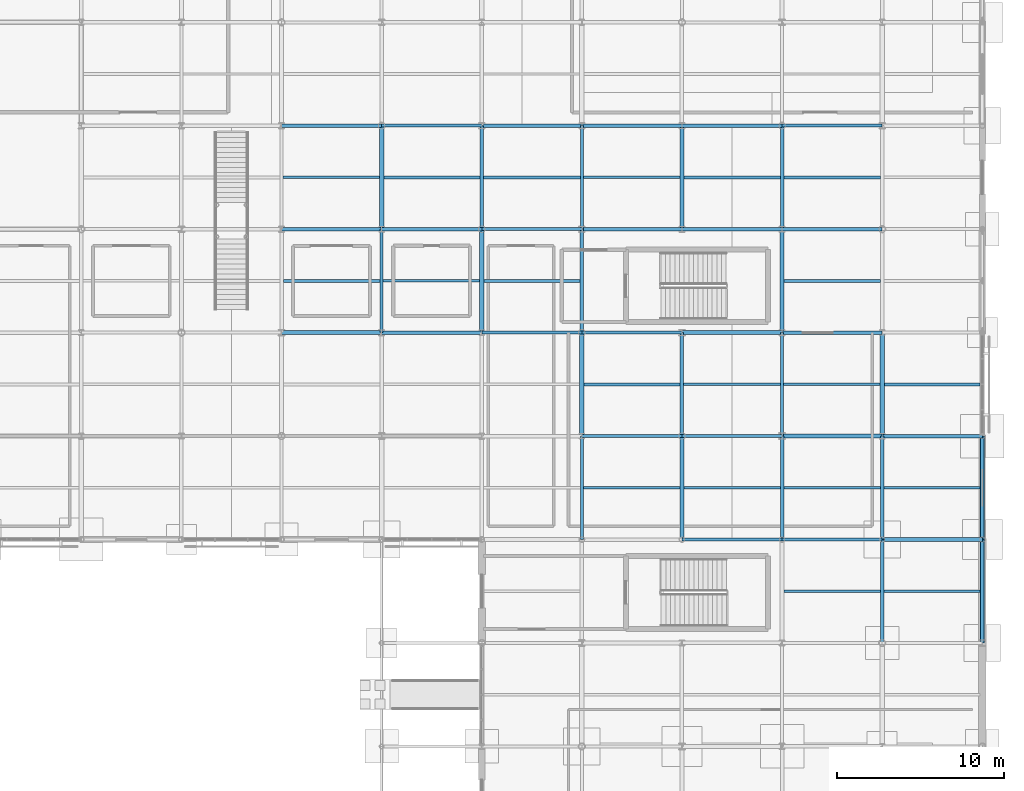
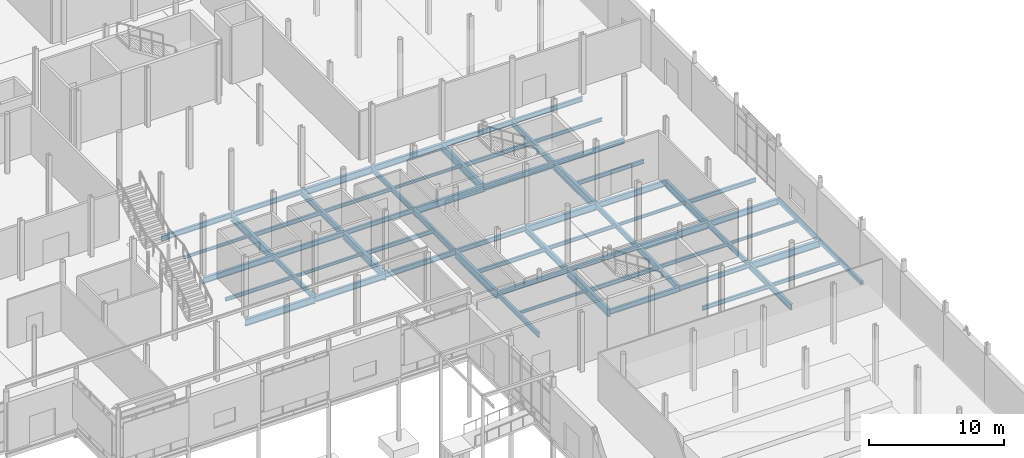
# One storey, part 52 of 98: 65 beams.
"""IFC4 building model written with IfcOpenShell, lengths in metres."""

from ifc_helpers import new_model, si_unit, direction, frame, origin, origin_2d, place, context, subcontext, project, spatial, hollow_rectangle, i_section, extrude, material, material_profile, profile_set, type_object, element, save


model = new_model("IFC4")

# Units and contexts
model_context = context("Model", 3, precision=1e-05, world=origin(), true_north=direction((0.0, 1.0)))
body_context = subcontext(model_context, "Body", "Model", "MODEL_VIEW")
ifc_project = project(units=[si_unit("LENGTHUNIT", "METRE"), si_unit("AREAUNIT", "SQUARE_METRE"), si_unit("VOLUMEUNIT", "CUBIC_METRE"), si_unit("PLANEANGLEUNIT", "RADIAN"), si_unit("MASSUNIT", "GRAM", prefix="KILO")], contexts=[model_context])

# Site, building, storey
site_placement = place(None, origin())
site = spatial("IfcSite", under=ifc_project, at=site_placement, CompositionType="ELEMENT")
building_placement = place(site_placement, origin())
building = spatial("IfcBuilding", under=site, at=building_placement, Name="Mirzam Square Science Centre", CompositionType="ELEMENT")
storey_placement = place(building_placement, origin())
storey = spatial("IfcBuildingStorey", under=building, at=storey_placement, Name="L00", CompositionType="ELEMENT", Elevation=0.0)

# Beams
ifc_material = material(Name="Steel S355", Category="steel")
ifc_material_profile_1 = material_profile(ifc_material, i_section(OverallWidth=0.1787109375, OverallDepth=0.409423828125, WebThickness=0.0087890625, FlangeThickness=0.014404296875, FilletRadius=0.01025390625, at=origin_2d()), Name="406x178x67UB")
ifc_profile_set_1 = profile_set([ifc_material_profile_1], Name="Steel S355")
beam_type_1 = type_object("IfcBeamType", Name="BM-UB406", PredefinedType="BEAM", material=ifc_profile_set_1)
for number, where, z_axis, x_axis, name in (
    (1, (150.0, 37.199951171875, -0.504638671875), (1.0, 0.0, 0.0), (0.0, 1.0, 0.0), "L00 girder X26-7"),
    (2, (144.0, 43.39990234375, -0.504638671875), (1.0, 0.0, 0.0), (0.0, 1.0, 0.0), "L00 girder X25-8"),
    (3, (138.0, 49.60009765625, -0.504638671875), (1.0, 0.0, 0.0), (0.0, 1.0, 0.0), "L00 girder X24-9"),
    (4, (132.0, 55.800048828125, -0.504638671875), (1.0, 0.0, 0.0), (0.0, 1.0, 0.0), "L00 girder X23-10"),
    (5, (126.0, 62.0, -0.504638671875), (1.0, 0.0, 0.0), (0.0, 1.0, 0.0), "L00 girder X22-11"),
    (6, (150.0, 62.0, -0.504638671875), (1.0, 0.0, 0.0), (0.0, 1.0, 0.0), "L00 girder X26-11"),
):
    element("IfcBeam", number, at=place(storey_placement, frame(where, z_axis=z_axis, x_axis=x_axis)), inside=storey, type_object=beam_type_1, Name=name, PredefinedType="BEAM", context=body_context, shape_type="SweptSolid", body=[
        extrude(i_section(OverallWidth=0.1787109375, OverallDepth=0.409423828125, WebThickness=0.0087890625, FlangeThickness=0.014404296875, FilletRadius=0.01025390625, at=origin_2d()), origin(), (0.0, 0.0, 1.0), 6.0),
    ])
ifc_material_profile_2 = material_profile(ifc_material, i_section(OverallWidth=0.19140625, OverallDepth=0.4599609375, WebThickness=0.010009765625, FlangeThickness=0.01611328125, FilletRadius=0.01025390625, at=origin_2d()), Name="457x191x82UB")
ifc_profile_set_2 = profile_set([ifc_material_profile_2], Name="Steel S355")
beam_type_2 = type_object("IfcBeamType", Name="BM-UB457", PredefinedType="BEAM", material=ifc_profile_set_2)
for number, where, z_axis, x_axis, name in (
    (7, (144.0, 37.199951171875, -0.530029296875), (1.0, 0.0, 0.0), (0.0, 1.0, 0.0), "L00 girder X25-7"),
    (8, (138.0, 43.39990234375, -0.530029296875), (1.0, 0.0, 0.0), (0.0, 1.0, 0.0), "L00 girder X24-8"),
    (9, (132.0, 49.60009765625, -0.530029296875), (1.0, 0.0, 0.0), (0.0, 1.0, 0.0), "L00 girder X23-9"),
    (10, (126.0, 55.800048828125, -0.530029296875), (1.0, 0.0, 0.0), (0.0, 1.0, 0.0), "L00 girder X22-10"),
    (11, (150.0, 55.800048828125, -0.530029296875), (1.0, 0.0, 0.0), (0.0, 1.0, 0.0), "L00 girder X26-10"),
    (12, (120.0, 62.0, -0.530029296875), (1.0, 0.0, 0.0), (0.0, 1.0, 0.0), "L00 girder X21-11"),
    (13, (144.0, 62.0, -0.530029296875), (1.0, 0.0, 0.0), (0.0, 1.0, 0.0), "L00 girder X25-11"),
):
    element("IfcBeam", number, at=place(storey_placement, frame(where, z_axis=z_axis, x_axis=x_axis)), inside=storey, type_object=beam_type_2, Name=name, PredefinedType="BEAM", context=body_context, shape_type="SweptSolid", body=[
        extrude(i_section(OverallWidth=0.19140625, OverallDepth=0.4599609375, WebThickness=0.010009765625, FlangeThickness=0.01611328125, FilletRadius=0.01025390625, at=origin_2d()), origin(), (0.0, 0.0, 1.0), 6.0),
    ])
for number, where, z_axis, x_axis, name in (
    (14, (126.0, 49.60009765625, -0.530029296875), (0.0, 1.0, 0.0), (-1.0, 0.0, 0.0), "L00 girder Y22-9"),
    (15, (138.0, 37.199951171875, -0.530029296875), (0.0, 1.0, 0.0), (-1.0, 0.0, 0.0), "L00 girder Y24-7"),
    (16, (138.0, 55.800048828125, -0.530029296875), (0.0, 1.0, 0.0), (-1.0, 0.0, 0.0), "L00 girder Y24-10"),
):
    element("IfcBeam", number, at=place(storey_placement, frame(where, z_axis=z_axis, x_axis=x_axis)), inside=storey, type_object=beam_type_2, Name=name, PredefinedType="BEAM", context=body_context, shape_type="SweptSolid", body=[
        extrude(i_section(OverallWidth=0.19140625, OverallDepth=0.4599609375, WebThickness=0.010009765625, FlangeThickness=0.01611328125, FilletRadius=0.01025390625, at=origin_2d()), origin(), (0.0, 0.0, 1.0), 6.199951171875),
    ])
beam_1_placement = place(storey_placement, frame((150.0, 43.39990234375, -0.530029296875), z_axis=(0.0, 1.0, 0.0), x_axis=(-1.0, 0.0, 0.0)))
element("IfcBeam", 17, at=beam_1_placement, inside=storey, type_object=beam_type_2, Name="L00 girder Y26-8", PredefinedType="BEAM", context=body_context, shape_type="SweptSolid", body=[
    extrude(i_section(OverallWidth=0.19140625, OverallDepth=0.4599609375, WebThickness=0.010009765625, FlangeThickness=0.01611328125, FilletRadius=0.01025390625, at=origin_2d()), origin(), (0.0, 0.0, 1.0), 6.2001953125),
])
beam_2_placement = place(storey_placement, frame((156.0, 37.199951171875, -0.530029296875), z_axis=(0.0, 1.0, 0.0), x_axis=(-1.0, 0.0, 0.0)))
element("IfcBeam", 18, at=beam_2_placement, inside=storey, type_object=beam_type_2, Name="L00 girder Y27-7", PredefinedType="BEAM", context=body_context, shape_type="SweptSolid", body=[
    extrude(i_section(OverallWidth=0.19140625, OverallDepth=0.4599609375, WebThickness=0.010009765625, FlangeThickness=0.01611328125, FilletRadius=0.01025390625, at=origin_2d()), origin(), (0.0, 0.0, 1.0), 6.199951171875),
])
ifc_material_profile_3 = material_profile(ifc_material, i_section(OverallWidth=0.2099609375, OverallDepth=0.53662109375, WebThickness=0.0107421875, FlangeThickness=0.017333984375, FilletRadius=0.0126953125, at=origin_2d()), Name="533x210x101UB")
ifc_profile_set_3 = profile_set([ifc_material_profile_3], Name="Steel S355")
beam_type_3 = type_object("IfcBeamType", Name="BM-UB533", PredefinedType="BEAM", material=ifc_profile_set_3)
for number, where, z_axis, x_axis, name in (
    (19, (156.0, 43.39990234375, -0.568359375), (1.0, 0.0, 0.0), (0.0, 1.0, 0.0), "L00 girder X27-8"),
    (20, (126.0, 49.60009765625, -0.568359375), (1.0, 0.0, 0.0), (0.0, 1.0, 0.0), "L00 girder X22-9"),
    (21, (150.0, 49.60009765625, -0.568359375), (1.0, 0.0, 0.0), (0.0, 1.0, 0.0), "L00 girder X26-9"),
    (22, (120.0, 55.800048828125, -0.568359375), (1.0, 0.0, 0.0), (0.0, 1.0, 0.0), "L00 girder X21-10"),
    (23, (144.0, 55.800048828125, -0.568359375), (1.0, 0.0, 0.0), (0.0, 1.0, 0.0), "L00 girder X25-10"),
    (24, (138.0, 62.0, -0.568359375), (1.0, 0.0, 0.0), (0.0, 1.0, 0.0), "L00 girder X24-11"),
):
    element("IfcBeam", number, at=place(storey_placement, frame(where, z_axis=z_axis, x_axis=x_axis)), inside=storey, type_object=beam_type_3, Name=name, PredefinedType="BEAM", context=body_context, shape_type="SweptSolid", body=[
        extrude(i_section(OverallWidth=0.2099609375, OverallDepth=0.53662109375, WebThickness=0.0107421875, FlangeThickness=0.017333984375, FilletRadius=0.0126953125, at=origin_2d()), origin(), (0.0, 0.0, 1.0), 6.0),
    ])
for number, where, z_axis, x_axis, name in (
    (25, (132.0, 55.800048828125, -0.568359375), (0.0, 1.0, 0.0), (-1.0, 0.0, 0.0), "L00 girder Y23-10"),
    (26, (138.0, 49.60009765625, -0.568359375), (0.0, 1.0, 0.0), (-1.0, 0.0, 0.0), "L00 girder Y24-9"),
):
    element("IfcBeam", number, at=place(storey_placement, frame(where, z_axis=z_axis, x_axis=x_axis)), inside=storey, type_object=beam_type_3, Name=name, PredefinedType="BEAM", context=body_context, shape_type="SweptSolid", body=[
        extrude(i_section(OverallWidth=0.2099609375, OverallDepth=0.53662109375, WebThickness=0.0107421875, FlangeThickness=0.017333984375, FilletRadius=0.0126953125, at=origin_2d()), origin(), (0.0, 0.0, 1.0), 6.199951171875),
    ])
beam_3_placement = place(storey_placement, frame((144.0, 43.39990234375, -0.568359375), z_axis=(0.0, 1.0, 0.0), x_axis=(-1.0, 0.0, 0.0)))
element("IfcBeam", 27, at=beam_3_placement, inside=storey, type_object=beam_type_3, Name="L00 girder Y25-8", PredefinedType="BEAM", context=body_context, shape_type="SweptSolid", body=[
    extrude(i_section(OverallWidth=0.2099609375, OverallDepth=0.53662109375, WebThickness=0.0107421875, FlangeThickness=0.017333984375, FilletRadius=0.0126953125, at=origin_2d()), origin(), (0.0, 0.0, 1.0), 6.2001953125),
])
for number, where, z_axis, x_axis, name in (
    (28, (150.0, 37.199951171875, -0.568359375), (0.0, 1.0, 0.0), (-1.0, 0.0, 0.0), "L00 girder Y26-7"),
    (29, (150.0, 55.800048828125, -0.568359375), (0.0, 1.0, 0.0), (-1.0, 0.0, 0.0), "L00 girder Y26-10"),
    (30, (156.0, 31.0, -0.568359375), (0.0, 1.0, 0.0), (-1.0, 0.0, 0.0), "L00 girder Y27-6"),
):
    element("IfcBeam", number, at=place(storey_placement, frame(where, z_axis=z_axis, x_axis=x_axis)), inside=storey, type_object=beam_type_3, Name=name, PredefinedType="BEAM", context=body_context, shape_type="SweptSolid", body=[
        extrude(i_section(OverallWidth=0.2099609375, OverallDepth=0.53662109375, WebThickness=0.0107421875, FlangeThickness=0.017333984375, FilletRadius=0.0126953125, at=origin_2d()), origin(), (0.0, 0.0, 1.0), 6.199951171875),
    ])
ifc_material_profile_4 = material_profile(ifc_material, i_section(OverallWidth=0.22900390625, OverallDepth=0.6123046875, WebThickness=0.011962890625, FlangeThickness=0.01953125, FilletRadius=0.0126953125, at=origin_2d()), Name="610x229x125UB")
ifc_profile_set_4 = profile_set([ifc_material_profile_4], Name="Steel S355")
beam_type_4 = type_object("IfcBeamType", Name="BM-UB610", PredefinedType="BEAM", material=ifc_profile_set_4)
for number, where, z_axis, x_axis, name in (
    (31, (156.0, 37.199951171875, -0.606201171875), (1.0, 0.0, 0.0), (0.0, 1.0, 0.0), "L00 girder X27-7"),
    (32, (150.0, 43.39990234375, -0.606201171875), (1.0, 0.0, 0.0), (0.0, 1.0, 0.0), "L00 girder X26-8"),
    (33, (120.0, 49.60009765625, -0.606201171875), (1.0, 0.0, 0.0), (0.0, 1.0, 0.0), "L00 girder X21-9"),
    (34, (144.0, 49.60009765625, -0.606201171875), (1.0, 0.0, 0.0), (0.0, 1.0, 0.0), "L00 girder X25-9"),
    (35, (138.0, 55.800048828125, -0.606201171875), (1.0, 0.0, 0.0), (0.0, 1.0, 0.0), "L00 girder X24-10"),
    (36, (132.0, 62.0, -0.606201171875), (1.0, 0.0, 0.0), (0.0, 1.0, 0.0), "L00 girder X23-11"),
):
    element("IfcBeam", number, at=place(storey_placement, frame(where, z_axis=z_axis, x_axis=x_axis)), inside=storey, type_object=beam_type_4, Name=name, PredefinedType="BEAM", context=body_context, shape_type="SweptSolid", body=[
        extrude(i_section(OverallWidth=0.22900390625, OverallDepth=0.6123046875, WebThickness=0.011962890625, FlangeThickness=0.01953125, FilletRadius=0.0126953125, at=origin_2d()), origin(), (0.0, 0.0, 1.0), 6.0),
    ])
ifc_material_profile_5 = material_profile(ifc_material, i_section(OverallWidth=0.25439453125, OverallDepth=0.6875, WebThickness=0.01318359375, FlangeThickness=0.02099609375, FilletRadius=0.01513671875, at=origin_2d()), Name="686x254x152UB")
ifc_profile_set_5 = profile_set([ifc_material_profile_5], Name="Steel S355")
beam_type_5 = type_object("IfcBeamType", Name="BM-UB686", PredefinedType="BEAM", material=ifc_profile_set_5)
for number, where, z_axis, x_axis, name in (
    (37, (126.0, 55.800048828125, -0.643798828125), (0.0, 1.0, 0.0), (-1.0, 0.0, 0.0), "L00 girder Y22-10"),
    (38, (132.0, 49.60009765625, -0.643798828125), (0.0, 1.0, 0.0), (-1.0, 0.0, 0.0), "L00 girder Y23-9"),
):
    element("IfcBeam", number, at=place(storey_placement, frame(where, z_axis=z_axis, x_axis=x_axis)), inside=storey, type_object=beam_type_5, Name=name, PredefinedType="BEAM", context=body_context, shape_type="SweptSolid", body=[
        extrude(i_section(OverallWidth=0.25439453125, OverallDepth=0.6875, WebThickness=0.01318359375, FlangeThickness=0.02099609375, FilletRadius=0.01513671875, at=origin_2d()), origin(), (0.0, 0.0, 1.0), 6.199951171875),
    ])
beam_4_placement = place(storey_placement, frame((138.0, 43.39990234375, -0.643798828125), z_axis=(0.0, 1.0, 0.0), x_axis=(-1.0, 0.0, 0.0)))
element("IfcBeam", 39, at=beam_4_placement, inside=storey, type_object=beam_type_5, Name="L00 girder Y24-8", PredefinedType="BEAM", context=body_context, shape_type="SweptSolid", body=[
    extrude(i_section(OverallWidth=0.25439453125, OverallDepth=0.6875, WebThickness=0.01318359375, FlangeThickness=0.02099609375, FilletRadius=0.01513671875, at=origin_2d()), origin(), (0.0, 0.0, 1.0), 6.2001953125),
])
for number, where, z_axis, x_axis, name in (
    (40, (144.0, 37.199951171875, -0.643798828125), (0.0, 1.0, 0.0), (-1.0, 0.0, 0.0), "L00 girder Y25-7"),
    (41, (144.0, 55.800048828125, -0.643798828125), (0.0, 1.0, 0.0), (-1.0, 0.0, 0.0), "L00 girder Y25-10"),
    (42, (150.0, 49.60009765625, -0.643798828125), (0.0, 1.0, 0.0), (-1.0, 0.0, 0.0), "L00 girder Y26-9"),
):
    element("IfcBeam", number, at=place(storey_placement, frame(where, z_axis=z_axis, x_axis=x_axis)), inside=storey, type_object=beam_type_5, Name=name, PredefinedType="BEAM", context=body_context, shape_type="SweptSolid", body=[
        extrude(i_section(OverallWidth=0.25439453125, OverallDepth=0.6875, WebThickness=0.01318359375, FlangeThickness=0.02099609375, FilletRadius=0.01513671875, at=origin_2d()), origin(), (0.0, 0.0, 1.0), 6.199951171875),
    ])
beam_5_placement = place(storey_placement, frame((156.0, 43.39990234375, -0.643798828125), z_axis=(0.0, 1.0, 0.0), x_axis=(-1.0, 0.0, 0.0)))
element("IfcBeam", 43, at=beam_5_placement, inside=storey, type_object=beam_type_5, Name="L00 girder Y27-8", PredefinedType="BEAM", context=body_context, shape_type="SweptSolid", body=[
    extrude(i_section(OverallWidth=0.25439453125, OverallDepth=0.6875, WebThickness=0.01318359375, FlangeThickness=0.02099609375, FilletRadius=0.01513671875, at=origin_2d()), origin(), (0.0, 0.0, 1.0), 6.2001953125),
])
ifc_material_profile_6 = material_profile(ifc_material, i_section(OverallWidth=0.146484375, OverallDepth=0.256103515625, WebThickness=0.00634765625, FlangeThickness=0.010986328125, FilletRadius=0.007568359375, at=origin_2d()), Name="254x146x37UB")
ifc_profile_set_6 = profile_set([ifc_material_profile_6], Name="Steel S355")
beam_type_6 = type_object("IfcBeamType", Name="JS-UB254", PredefinedType="JOIST", material=ifc_profile_set_6)
for number, where, z_axis, x_axis, name in (
    (44, (120.095703125, 58.89990234375, -0.427978515625), (1.0, 0.0, 0.0), (0.0, 1.0, 0.0), "L00 composite joist 21-10"),
    (45, (126.095703125, 52.699951171875, -0.427978515625), (1.0, 0.0, 0.0), (0.0, 1.0, 0.0), "L00 composite joist 22-9"),
    (46, (138.095703125, 40.300048828125, -0.427978515625), (1.0, 0.0, 0.0), (0.0, 1.0, 0.0), "L00 composite joist 24-7"),
    (47, (138.095703125, 58.89990234375, -0.427978515625), (1.0, 0.0, 0.0), (0.0, 1.0, 0.0), "L00 composite joist 24-10"),
    (48, (150.095703125, 46.5, -0.427978515625), (1.0, 0.0, 0.0), (0.0, 1.0, 0.0), "L00 composite joist 26-8"),
):
    element("IfcBeam", number, at=place(storey_placement, frame(where, z_axis=z_axis, x_axis=x_axis)), inside=storey, type_object=beam_type_6, Name=name, PredefinedType="JOIST", context=body_context, shape_type="SweptSolid", body=[
        extrude(i_section(OverallWidth=0.146484375, OverallDepth=0.256103515625, WebThickness=0.00634765625, FlangeThickness=0.010986328125, FilletRadius=0.007568359375, at=origin_2d()), origin(), (0.0, 0.0, 1.0), 5.777099609375),
    ])
beam_6_placement = place(storey_placement, frame((156.095703125, 40.300048828125, -0.427978515625), z_axis=(1.0, 0.0, 0.0), x_axis=(0.0, 1.0, 0.0)))
element("IfcBeam", 49, at=beam_6_placement, inside=storey, type_object=beam_type_6, Name="L00 composite joist 27-7", PredefinedType="JOIST", context=body_context, shape_type="SweptSolid", body=[
    extrude(i_section(OverallWidth=0.146484375, OverallDepth=0.256103515625, WebThickness=0.00634765625, FlangeThickness=0.010986328125, FilletRadius=0.007568359375, at=origin_2d()), origin(), (0.0, 0.0, 1.0), 5.779296875),
])
ifc_material_profile_7 = material_profile(ifc_material, i_section(OverallWidth=0.165771484375, OverallDepth=0.306640625, WebThickness=0.006591796875, FlangeThickness=0.01171875, FilletRadius=0.0087890625, at=origin_2d()), Name="305x165x46UB")
ifc_profile_set_7 = profile_set([ifc_material_profile_7], Name="Steel S355")
beam_type_7 = type_object("IfcBeamType", Name="JS-UB305", PredefinedType="JOIST", material=ifc_profile_set_7)
for number, where, z_axis, x_axis, name in (
    (50, (120.10498046875, 52.699951171875, -0.453369140625), (1.0, 0.0, 0.0), (0.0, 1.0, 0.0), "L00 composite joist 21-9"),
    (51, (132.10498046875, 58.89990234375, -0.453369140625), (1.0, 0.0, 0.0), (0.0, 1.0, 0.0), "L00 composite joist 23-10"),
    (52, (144.10498046875, 46.5, -0.453369140625), (1.0, 0.0, 0.0), (0.0, 1.0, 0.0), "L00 composite joist 25-8"),
    (53, (150.10498046875, 40.300048828125, -0.453369140625), (1.0, 0.0, 0.0), (0.0, 1.0, 0.0), "L00 composite joist 26-7"),
    (54, (150.10498046875, 58.89990234375, -0.453369140625), (1.0, 0.0, 0.0), (0.0, 1.0, 0.0), "L00 composite joist 26-10"),
):
    element("IfcBeam", number, at=place(storey_placement, frame(where, z_axis=z_axis, x_axis=x_axis)), inside=storey, type_object=beam_type_7, Name=name, PredefinedType="JOIST", context=body_context, shape_type="SweptSolid", body=[
        extrude(i_section(OverallWidth=0.165771484375, OverallDepth=0.306640625, WebThickness=0.006591796875, FlangeThickness=0.01171875, FilletRadius=0.0087890625, at=origin_2d()), origin(), (0.0, 0.0, 1.0), 5.79931640625),
    ])
beam_7_placement = place(storey_placement, frame((156.10498046875, 34.10009765625, -0.453369140625), z_axis=(1.0, 0.0, 0.0), x_axis=(0.0, 1.0, 0.0)))
element("IfcBeam", 55, at=beam_7_placement, inside=storey, type_object=beam_type_7, Name="L00 composite joist 27-6", PredefinedType="JOIST", context=body_context, shape_type="SweptSolid", body=[
    extrude(i_section(OverallWidth=0.165771484375, OverallDepth=0.306640625, WebThickness=0.006591796875, FlangeThickness=0.01171875, FilletRadius=0.0087890625, at=origin_2d()), origin(), (0.0, 0.0, 1.0), 5.77001953125),
])
ifc_material_profile_8 = material_profile(ifc_material, i_section(OverallWidth=0.172119140625, OverallDepth=0.35791015625, WebThickness=0.008056640625, FlangeThickness=0.012939453125, FilletRadius=0.01025390625, at=origin_2d()), Name="356x171x57UB")
ifc_profile_set_8 = profile_set([ifc_material_profile_8], Name="Steel S355")
beam_type_8 = type_object("IfcBeamType", Name="JS-UB356", PredefinedType="JOIST", material=ifc_profile_set_8)
for number, where, z_axis, x_axis, name in (
    (56, (126.127197265625, 58.89990234375, -0.47900390625), (1.0, 0.0, 0.0), (0.0, 1.0, 0.0), "L00 composite joist 22-10"),
    (57, (132.127197265625, 52.699951171875, -0.47900390625), (1.0, 0.0, 0.0), (0.0, 1.0, 0.0), "L00 composite joist 23-9"),
    (58, (138.127197265625, 46.5, -0.47900390625), (1.0, 0.0, 0.0), (0.0, 1.0, 0.0), "L00 composite joist 24-8"),
    (59, (144.127197265625, 40.300048828125, -0.47900390625), (1.0, 0.0, 0.0), (0.0, 1.0, 0.0), "L00 composite joist 25-7"),
    (60, (144.127197265625, 58.89990234375, -0.47900390625), (1.0, 0.0, 0.0), (0.0, 1.0, 0.0), "L00 composite joist 25-10"),
    (61, (150.127197265625, 34.10009765625, -0.47900390625), (1.0, 0.0, 0.0), (0.0, 1.0, 0.0), "L00 composite joist 26-6"),
    (62, (150.127197265625, 52.699951171875, -0.47900390625), (1.0, 0.0, 0.0), (0.0, 1.0, 0.0), "L00 composite joist 26-9"),
):
    element("IfcBeam", number, at=place(storey_placement, frame(where, z_axis=z_axis, x_axis=x_axis)), inside=storey, type_object=beam_type_8, Name=name, PredefinedType="JOIST", context=body_context, shape_type="SweptSolid", body=[
        extrude(i_section(OverallWidth=0.172119140625, OverallDepth=0.35791015625, WebThickness=0.008056640625, FlangeThickness=0.012939453125, FilletRadius=0.01025390625, at=origin_2d()), origin(), (0.0, 0.0, 1.0), 5.767822265625),
    ])
beam_8_placement = place(storey_placement, frame((156.127197265625, 46.5, -0.47900390625), z_axis=(1.0, 0.0, 0.0), x_axis=(0.0, 1.0, 0.0)))
element("IfcBeam", 63, at=beam_8_placement, inside=storey, type_object=beam_type_8, Name="L00 composite joist 27-8", PredefinedType="JOIST", context=body_context, shape_type="SweptSolid", body=[
    extrude(i_section(OverallWidth=0.172119140625, OverallDepth=0.35791015625, WebThickness=0.008056640625, FlangeThickness=0.012939453125, FilletRadius=0.01025390625, at=origin_2d()), origin(), (0.0, 0.0, 1.0), 5.747802734375),
])
ifc_material_profile_9 = material_profile(ifc_material, hollow_rectangle(XDim=0.25, YDim=0.35009765625, WallThickness=0.012451171875, InnerFilletRadius=0.012451171875, OuterFilletRadius=0.02490234375, at=origin_2d()), Name="350x250x12.5RHS")
ifc_profile_set_9 = profile_set([ifc_material_profile_9], Name="Steel S355")
beam_type_9 = type_object("IfcBeamType", Name="SP-RHS350", PredefinedType="SPANDREL", material=ifc_profile_set_9)
for number, where, z_axis, x_axis, name in (
    (64, (162.0, 31.0, -0.47509765625), (0.0, 1.0, 0.0), (-1.0, 0.0, 0.0), "L00 girder Y28-6"),
    (65, (162.0, 37.199951171875, -0.47509765625), (0.0, 1.0, 0.0), (-1.0, 0.0, 0.0), "L00 girder Y28-7"),
):
    element("IfcBeam", number, at=place(storey_placement, frame(where, z_axis=z_axis, x_axis=x_axis)), inside=storey, type_object=beam_type_9, Name=name, PredefinedType="SPANDREL", context=body_context, shape_type="SweptSolid", body=[
        extrude(hollow_rectangle(XDim=0.25, YDim=0.35009765625, WallThickness=0.012451171875, InnerFilletRadius=0.012451171875, OuterFilletRadius=0.02490234375, at=origin_2d()), origin(), (0.0, 0.0, 1.0), 6.199951171875),
    ])

save(model, "model.ifc")
